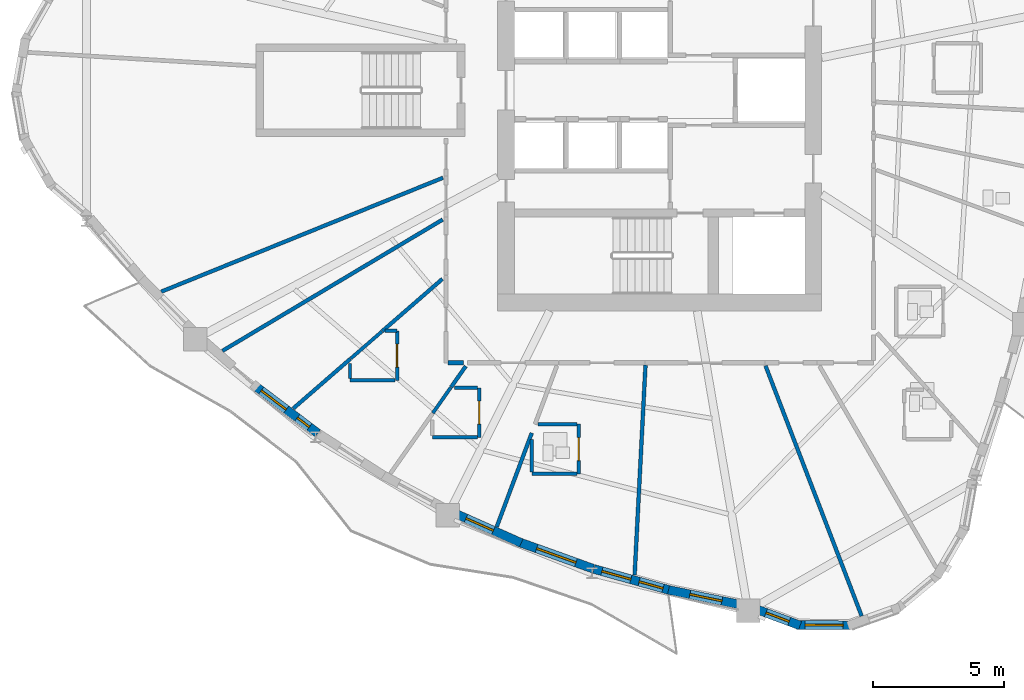
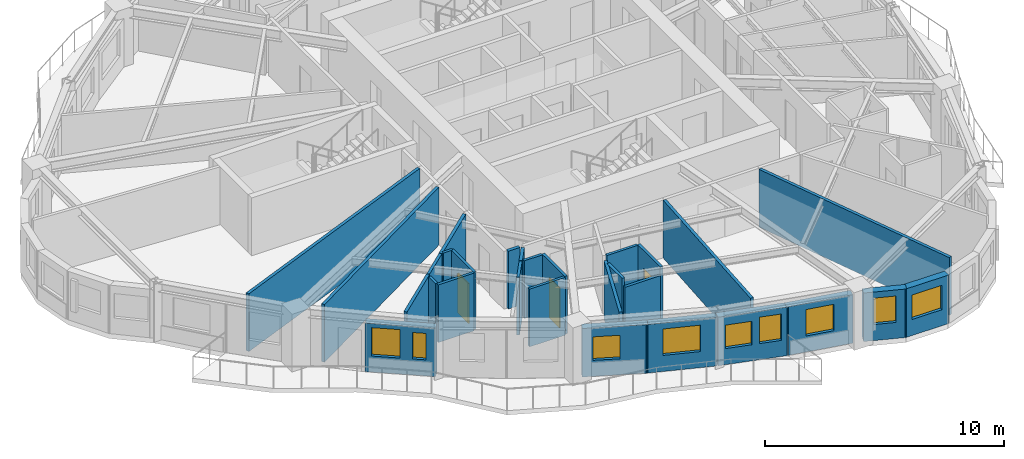
# One storey, part 3 of 13: 29 walls, 9 windows, 3 doors, 12 openings.
"""IFC4 building model written with IfcOpenShell, lengths in metres."""

from ifc_helpers import new_model, si_unit, direction, frame, frame_2d, origin, place, context, subcontext, project, spatial, rectangle, extrude, source, transform, mapped, material, layer, layer_set, type_object, element, fill, save


model = new_model("IFC4")

# Units and contexts
model_context = context("Model", 3, precision=1e-05, world=origin(), true_north=direction((0.0, 1.0)))
body_context = subcontext(model_context, "Body", "Model", "MODEL_VIEW")
ifc_project = project(units=[si_unit("LENGTHUNIT", "METRE"), si_unit("AREAUNIT", "SQUARE_METRE"), si_unit("VOLUMEUNIT", "CUBIC_METRE"), si_unit("PLANEANGLEUNIT", "RADIAN"), si_unit("MASSUNIT", "GRAM", prefix="KILO")], contexts=[model_context])

# Site, building, storey
site_placement = place(None, origin())
site = spatial("IfcSite", under=ifc_project, at=site_placement, CompositionType="ELEMENT")
building_placement = place(site_placement, origin())
building = spatial("IfcBuilding", under=site, at=building_placement, Name="Qafzar Sky-Pleat Residences", CompositionType="ELEMENT")
storey_placement = place(building_placement, frame((0.0, 0.0, 102.39990234375)))
storey = spatial("IfcBuildingStorey", under=building, at=storey_placement, Name="L30", CompositionType="ELEMENT", Elevation=102.39990234375)

# Walls
ifc_material_1 = material(Name="Acoustic gypsum plasterboard partition", Category="gypsum")
ifc_layer_1 = layer(ifc_material_1, 0.159912109375)
ifc_layer_set_1 = layer_set([ifc_layer_1], Name="Acoustic gypsum plasterboard partition")
wall_type_1 = type_object("IfcWallType", Name="PART-COR-160", PredefinedType="PARTITIONING", material=ifc_layer_set_1)
wall_1_placement = place(storey_placement, frame((22.258056640625, 15.570068359375, 0.0), z_axis=(0.0, 0.0, 1.0), x_axis=(1.0, 0.0, 0.0)))
element("IfcWall", 1, at=wall_1_placement, inside=storey, type_object=wall_type_1, Name="L30 Partition Wall PART-L30-PW-086", PredefinedType="PARTITIONING", context=body_context, shape_type="SweptSolid", body=[
    extrude(rectangle(XDim=0.5771484375, YDim=0.159912109375, at=frame_2d((0.28857421875, 0.0))), origin(), (0.0, 0.0, 1.0), 2.9501953125),
])
ifc_layer_2 = layer(ifc_material_1, 0.14501953125)
ifc_layer_set_2 = layer_set([ifc_layer_2], Name="Acoustic gypsum plasterboard partition")
wall_type_2 = type_object("IfcWallType", Name="PART-UNIT-145", PredefinedType="PARTITIONING", material=ifc_layer_set_2)
wall_2_placement = place(storey_placement, frame((11.2802734375, 18.293701171875, 0.0), z_axis=(0.0, 0.0, 1.0), x_axis=(0.927137862507, 0.374720407645, 0.0)))
element("IfcWall", 2, at=wall_2_placement, inside=storey, type_object=wall_type_2, Name="L30 Partition Wall PART-L30-PW-032", PredefinedType="PARTITIONING", context=body_context, shape_type="SweptSolid", body=[
    extrude(rectangle(XDim=11.621826171875, YDim=0.14501953125, at=frame_2d((5.81103515625, 0.0))), origin(), (0.0, 0.0, 1.0), 2.9501953125),
])
wall_3_placement = place(storey_placement, frame((34.399658203125, 15.45654296875, 0.0), z_axis=(0.0, 0.0, 1.0), x_axis=(0.358586620169, -0.933496457324, 0.0)))
element("IfcWall", 3, at=wall_3_placement, inside=storey, type_object=wall_type_2, Name="L30 Partition Wall PART-L30-PW-034", PredefinedType="PARTITIONING", context=body_context, shape_type="SweptSolid", body=[
    extrude(rectangle(XDim=10.255615234375, YDim=0.14501953125, at=frame_2d((5.1279296875, 0.0))), origin(), (0.0, 0.0, 1.0), 2.9501953125),
])
wall_4_placement = place(storey_placement, frame((13.621826171875, 16.0283203125, 0.0), z_axis=(0.0, 0.0, 1.0), x_axis=(0.85896108151, 0.512040877716, 0.0)))
element("IfcWall", 4, at=wall_4_placement, inside=storey, type_object=wall_type_2, Name="L30 Partition Wall PART-L30-PW-035", PredefinedType="PARTITIONING", context=body_context, shape_type="SweptSolid", body=[
    extrude(rectangle(XDim=9.807373046875, YDim=0.14501953125, at=frame_2d((4.90380859375, 0.0))), origin(), (0.0, 0.0, 1.0), 2.9501953125),
])
wall_5_placement = place(storey_placement, frame((29.390869140625, 7.4482421875, 0.0), z_axis=(0.0, 0.0, 1.0), x_axis=(0.051677535725, 0.998663823467, 0.0)))
element("IfcWall", 5, at=wall_5_placement, inside=storey, type_object=wall_type_2, Name="L30 Partition Wall PART-L30-PW-040", PredefinedType="PARTITIONING", context=body_context, shape_type="SweptSolid", body=[
    extrude(rectangle(XDim=8.040771484375, YDim=0.14501953125, at=frame_2d((4.0205078125, 0.0))), origin(), (0.0, 0.0, 1.0), 2.9501953125),
])
wall_6_placement = place(storey_placement, frame((24.114990234375, 9.294189453125, 0.0), z_axis=(0.0, 0.0, 1.0), x_axis=(0.349559649022, 0.936914111205, 0.0)))
element("IfcWall", 6, at=wall_6_placement, inside=storey, type_object=wall_type_2, Name="L30 Partition Wall PART-L30-PW-049", PredefinedType="PARTITIONING", context=body_context, shape_type="SweptSolid", body=[
    extrude(rectangle(XDim=3.833740234375, YDim=0.14501953125, at=frame_2d((1.9169921875, 0.0))), origin(), (0.0, 0.0, 1.0), 2.9501953125),
])
wall_7_placement = place(storey_placement, frame((19.736083984375, 16.781982421875, 0.0), z_axis=(0.0, 0.0, 1.0), x_axis=(0.754964216329, 0.655765988796, 0.0)))
element("IfcWall", 7, at=wall_7_placement, inside=storey, type_object=wall_type_2, Name="L30 Partition Wall PART-L30-PW-050", PredefinedType="PARTITIONING", context=body_context, shape_type="SweptSolid", body=[
    extrude(rectangle(XDim=3.046875, YDim=0.14501953125, at=frame_2d((1.5234375, 0.0))), origin(), (0.0, 0.0, 1.0), 2.9501953125),
])
wall_8_placement = place(storey_placement, frame((16.330322265625, 13.823974609375, 0.0), z_axis=(0.0, 0.0, 1.0), x_axis=(0.754843145593, 0.655905348013, 0.0)))
element("IfcWall", 8, at=wall_8_placement, inside=storey, type_object=wall_type_2, Name="L30 Partition Wall PART-L30-PW-053", PredefinedType="PARTITIONING", context=body_context, shape_type="SweptSolid", body=[
    extrude(rectangle(XDim=2.89697265625, YDim=0.14501953125, at=frame_2d((1.448486328125, 0.0))), origin(), (0.0, 0.0, 1.0), 2.9501953125),
])
wall_9_placement = place(storey_placement, frame((22.36962890625, 14.643310546875, 0.0), z_axis=(0.0, 0.0, 1.0), x_axis=(0.575022445487, 0.818137633401, 0.0)))
element("IfcWall", 9, at=wall_9_placement, inside=storey, type_object=wall_type_2, Name="L30 Partition Wall PART-L30-PW-081", PredefinedType="PARTITIONING", context=body_context, shape_type="SweptSolid", body=[
    extrude(rectangle(XDim=0.97607421875, YDim=0.14501953125, at=frame_2d((0.488037109375, 0.0))), origin(), (0.0, 0.0, 1.0), 2.9501953125),
])

# Wall, opening, door
ifc_material_2 = material(Name="Moisture-resistant gypsum partition", Category="gypsum")
ifc_layer_3 = layer(ifc_material_2, 0.1298828125)
ifc_layer_set_3 = layer_set([ifc_layer_3], Name="Moisture-resistant gypsum partition")
wall_type_3 = type_object("IfcWallType", Name="PART-WET-130", PredefinedType="PARTITIONING", material=ifc_layer_set_3)
wall_10_placement = place(storey_placement, frame((27.2548828125, 11.322998046875, 0.0), z_axis=(0.0, 0.0, 1.0), x_axis=(0.0, 1.0, 0.0)))
wall_10 = element("IfcWall", 10, at=wall_10_placement, inside=storey, type_object=wall_type_3, Name="L30 Partition Wall PART-L30-PW-016", PredefinedType="PARTITIONING", context=body_context, shape_type="SweptSolid", body=[
    extrude(rectangle(XDim=1.89990234375, YDim=0.1298828125, at=frame_2d((0.949951171875, 0.0))), origin(), (0.0, 0.0, 1.0), 2.9501953125),
])
opening_1_placement = place(wall_10_placement, frame((0.510009765625, 0.0, 0.0)))
opening_1 = element("IfcOpeningElement", 11, at=opening_1_placement, cuts=wall_10, Name="Opening ID-07", PredefinedType="OPENING", context=body_context, shape_type="SweptSolid", body=[
    extrude(rectangle(XDim=0.8798828125, YDim=2.050048828125, at=frame_2d((0.43994140625, 1.02490234375))), frame((0.0, 0.074951171875, 0.0), z_axis=(0.0, -1.0, 0.0), x_axis=(1.0, 0.0, 0.0)), (0.0, 0.0, 1.0), 0.14990234375),
])
ifc_material_3 = material(Name="Timber-faced fire door", Category="wood")
door_type = type_object("IfcDoorType", Name="DR-WET-880", OperationType="NOTDEFINED", PredefinedType="DOOR", material=ifc_material_3)
shared_shape_1 = source(origin(), body_context, "Body", "SweptSolid", [
    extrude(rectangle(XDim=0.8798828125, YDim=2.050048828125, at=frame_2d((0.43994140625, 1.02490234375))), frame((0.0, 0.02490234375, 0.0), z_axis=(0.0, -1.0, 0.0), x_axis=(1.0, 0.0, 0.0)), (0.0, 0.0, 1.0), 0.050048828125),
])
door_1_placement = place(opening_1_placement, origin())
door_1 = element("IfcDoor", 12, at=door_1_placement, inside=storey, type_object=door_type, Name="L30 En-suite Bathroom 1 Door", OperationType="SINGLE_SWING_RIGHT", OverallHeight=2.050048828125, OverallWidth=0.8798828125, PredefinedType="DOOR", context=body_context, shape_type="MappedRepresentation", body=[
    mapped(shared_shape_1, transform((0.0, 0.0, 0.0), x_axis=(1.0, 0.0, 0.0), y_axis=(0.0, 1.0, 0.0), z_axis=(0.0, 0.0, 1.0), scale=1.0)),
])
fill(opening_1, door_1)

wall_11_placement = place(storey_placement, frame((20.302001953125, 14.89697265625, 0.0), z_axis=(0.0, 0.0, 1.0), x_axis=(0.0, 1.0, 0.0)))
wall_11 = element("IfcWall", 13, at=wall_11_placement, inside=storey, type_object=wall_type_3, Name="L30 Partition Wall PART-L30-PW-017", PredefinedType="PARTITIONING", context=body_context, shape_type="SweptSolid", body=[
    extrude(rectangle(XDim=1.900146484375, YDim=0.1298828125, at=frame_2d((0.9501953125, 0.0))), origin(), (0.0, 0.0, 1.0), 2.9501953125),
])
opening_2_placement = place(wall_11_placement, frame((0.510009765625, 0.0, 0.0)))
opening_2 = element("IfcOpeningElement", 14, at=opening_2_placement, cuts=wall_11, Name="Opening ID-07", PredefinedType="OPENING", context=body_context, shape_type="SweptSolid", body=[
    extrude(rectangle(XDim=0.8798828125, YDim=2.050048828125, at=frame_2d((0.43994140625, 1.02490234375))), frame((0.0, 0.074951171875, 0.0), z_axis=(0.0, -1.0, 0.0), x_axis=(1.0, 0.0, 0.0)), (0.0, 0.0, 1.0), 0.14990234375),
])
door_2_placement = place(opening_2_placement, origin())
door_2 = element("IfcDoor", 15, at=door_2_placement, inside=storey, type_object=door_type, Name="L30 En-suite Bathroom 13 Door", OperationType="SINGLE_SWING_LEFT", OverallHeight=2.050048828125, OverallWidth=0.8798828125, PredefinedType="DOOR", context=body_context, shape_type="MappedRepresentation", body=[
    mapped(shared_shape_1, transform((0.0, 0.0, 0.0), x_axis=(1.0, 0.0, 0.0), y_axis=(0.0, 1.0, 0.0), z_axis=(0.0, 0.0, 1.0), scale=1.0)),
])
fill(opening_2, door_2)

wall_12_placement = place(storey_placement, frame((23.447998046875, 12.716064453125, 0.0), z_axis=(0.0, 0.0, 1.0), x_axis=(0.0, 1.0, 0.0)))
wall_12 = element("IfcWall", 16, at=wall_12_placement, inside=storey, type_object=wall_type_3, Name="L30 Partition Wall PART-L30-PW-018", PredefinedType="PARTITIONING", context=body_context, shape_type="SweptSolid", body=[
    extrude(rectangle(XDim=1.89990234375, YDim=0.1298828125, at=frame_2d((0.949951171875, 0.0))), origin(), (0.0, 0.0, 1.0), 2.9501953125),
])
opening_3_placement = place(wall_12_placement, frame((0.510009765625, 0.0, 0.0)))
opening_3 = element("IfcOpeningElement", 17, at=opening_3_placement, cuts=wall_12, Name="Opening ID-07", PredefinedType="OPENING", context=body_context, shape_type="SweptSolid", body=[
    extrude(rectangle(XDim=0.8798828125, YDim=2.050048828125, at=frame_2d((0.43994140625, 1.02490234375))), frame((0.0, 0.074951171875, 0.0), z_axis=(0.0, -1.0, 0.0), x_axis=(1.0, 0.0, 0.0)), (0.0, 0.0, 1.0), 0.14990234375),
])
door_3_placement = place(opening_3_placement, origin())
door_3 = element("IfcDoor", 18, at=door_3_placement, inside=storey, type_object=door_type, Name="L30 En-suite Bathroom 14 Door", OperationType="SINGLE_SWING_RIGHT", OverallHeight=2.050048828125, OverallWidth=0.8798828125, PredefinedType="DOOR", context=body_context, shape_type="MappedRepresentation", body=[
    mapped(shared_shape_1, transform((0.0, 0.0, 0.0), x_axis=(1.0, 0.0, 0.0), y_axis=(0.0, 1.0, 0.0), z_axis=(0.0, 0.0, 1.0), scale=1.0)),
])
fill(opening_3, door_3)

# Walls
wall_13_placement = place(storey_placement, frame((25.455078125, 11.322998046875, 0.0), z_axis=(0.0, 0.0, 1.0), x_axis=(1.0, 0.0, 0.0)))
element("IfcWall", 19, at=wall_13_placement, inside=storey, type_object=wall_type_3, Name="L30 Partition Wall PART-L30-PW-063", PredefinedType="PARTITIONING", context=body_context, shape_type="SweptSolid", body=[
    extrude(rectangle(XDim=1.726806640625, YDim=0.1298828125, at=frame_2d((0.86328125, 0.0))), origin(), (0.0, 0.0, 1.0), 2.55810546875),
])
for number, where, z_axis, x_axis, name in (
    (20, (18.501953125, 14.89697265625, 0.0), (0.0, 0.0, 1.0), (1.0, 0.0, 0.0), "L30 Partition Wall PART-L30-PW-066"),
    (21, (21.64794921875, 12.716064453125, 0.0), (0.0, 0.0, 1.0), (1.0, 0.0, 0.0), "L30 Partition Wall PART-L30-PW-067"),
):
    element("IfcWall", number, at=place(storey_placement, frame(where, z_axis=z_axis, x_axis=x_axis)), inside=storey, type_object=wall_type_3, Name=name, PredefinedType="PARTITIONING", context=body_context, shape_type="SweptSolid", body=[
        extrude(rectangle(XDim=1.72705078125, YDim=0.1298828125, at=frame_2d((0.863525390625, 0.0))), origin(), (0.0, 0.0, 1.0), 2.9501953125),
    ])
wall_14_placement = place(storey_placement, frame((25.690673828125, 13.222900390625, 0.0), z_axis=(0.0, 0.0, 1.0), x_axis=(1.0, 0.0, 0.0)))
element("IfcWall", 22, at=wall_14_placement, inside=storey, type_object=wall_type_3, Name="L30 Partition Wall PART-L30-PW-071", PredefinedType="PARTITIONING", context=body_context, shape_type="SweptSolid", body=[
    extrude(rectangle(XDim=1.4912109375, YDim=0.1298828125, at=frame_2d((0.74560546875, 0.0))), origin(), (0.0, 0.0, 1.0), 2.9501953125),
])
wall_15_placement = place(storey_placement, frame((18.5283203125, 15.73388671875, 0.0), z_axis=(0.0, 0.0, 1.0), x_axis=(0.755063236967, 0.655651971843, 0.0)))
element("IfcWall", 23, at=wall_15_placement, inside=storey, type_object=wall_type_3, Name="L30 Partition Wall PART-L30-PW-073", PredefinedType="PARTITIONING", context=body_context, shape_type="SweptSolid", body=[
    extrude(rectangle(XDim=1.583984375, YDim=0.1298828125, at=frame_2d((0.7919921875, 0.0))), origin(), (0.0, 0.0, 1.0), 2.9501953125),
])
wall_16_placement = place(storey_placement, frame((25.455078125, 11.39599609375, 0.0), z_axis=(0.0, 0.0, 1.0), x_axis=(0.0, 1.0, 0.0)))
element("IfcWall", 24, at=wall_16_placement, inside=storey, type_object=wall_type_3, Name="L30 Partition Wall PART-L30-PW-075", PredefinedType="PARTITIONING", context=body_context, shape_type="SweptSolid", body=[
    extrude(rectangle(XDim=1.25, YDim=0.1298828125, at=frame_2d((0.625, 0.0))), origin(), (0.0, 0.0, 1.0), 2.9501953125),
])
wall_17_placement = place(storey_placement, frame((21.67138671875, 13.6494140625, 0.0), z_axis=(0.0, 0.0, 1.0), x_axis=(0.574868196693, 0.81824602439, 0.0)))
element("IfcWall", 25, at=wall_17_placement, inside=storey, type_object=wall_type_3, Name="L30 Partition Wall PART-L30-PW-079", PredefinedType="PARTITIONING", context=body_context, shape_type="SweptSolid", body=[
    extrude(rectangle(XDim=1.19970703125, YDim=0.1298828125, at=frame_2d((0.599853515625, 0.0))), origin(), (0.0, 0.0, 1.0), 2.9501953125),
])
wall_18_placement = place(storey_placement, frame((22.493408203125, 14.615966796875, 0.0), z_axis=(0.0, 0.0, 1.0), x_axis=(1.0, 0.0, 0.0)))
element("IfcWall", 26, at=wall_18_placement, inside=storey, type_object=wall_type_3, Name="L30 Partition Wall PART-L30-PW-082", PredefinedType="PARTITIONING", context=body_context, shape_type="SweptSolid", body=[
    extrude(rectangle(XDim=0.881591796875, YDim=0.1298828125, at=frame_2d((0.44091796875, 0.0))), origin(), (0.0, 0.0, 1.0), 2.9501953125),
])
wall_19_placement = place(storey_placement, frame((18.501953125, 14.969970703125, 0.0), z_axis=(0.0, 0.0, 1.0), x_axis=(0.0, 1.0, 0.0)))
element("IfcWall", 27, at=wall_19_placement, inside=storey, type_object=wall_type_3, Name="L30 Partition Wall PART-L30-PW-087", PredefinedType="PARTITIONING", context=body_context, shape_type="SweptSolid", body=[
    extrude(rectangle(XDim=0.58056640625, YDim=0.1298828125, at=frame_2d((0.290283203125, 0.0))), origin(), (0.0, 0.0, 1.0), 2.9501953125),
])
wall_20_placement = place(storey_placement, frame((19.843017578125, 16.797119140625, 0.0), z_axis=(0.0, 0.0, 1.0), x_axis=(1.0, 0.0, 0.0)))
element("IfcWall", 28, at=wall_20_placement, inside=storey, type_object=wall_type_3, Name="L30 Partition Wall PART-L30-PW-088", PredefinedType="PARTITIONING", context=body_context, shape_type="SweptSolid", body=[
    extrude(rectangle(XDim=0.458984375, YDim=0.1298828125, at=frame_2d((0.2294921875, 0.0))), origin(), (0.0, 0.0, 1.0), 2.9501953125),
])

# Wall, openings, windows
ifc_material_4 = material(Name="Precast concrete C40/50 with honed Riyadh limestone", Category="concrete")
ifc_layer_4 = layer(ifc_material_4, 0.340087890625)
ifc_layer_set_4 = layer_set([ifc_layer_4], Name="Precast concrete C40/50 with honed Riyadh limestone")
wall_type_4 = type_object("IfcWallType", Name="WALL-EXT-340", PredefinedType="SOLIDWALL", material=ifc_layer_set_4)
wall_21_placement = place(storey_placement, frame((14.894287109375, 14.665283203125, 0.0), z_axis=(0.0, 0.0, 1.0), x_axis=(0.798431756537, -0.602085318001, 0.0)))
wall_21 = element("IfcWall", 29, at=wall_21_placement, inside=storey, type_object=wall_type_4, Name="L30 Limestone Facade Wall 10", PredefinedType="SOLIDWALL", context=body_context, shape_type="SweptSolid", body=[
    extrude(rectangle(XDim=2.9755859375, YDim=0.340087890625, at=frame_2d((1.48779296875, 0.0))), origin(), (0.0, 0.0, 1.0), 2.47998046875),
])
opening_4_placement = place(wall_21_placement, frame((0.2626953125, 0.0, 0.820068359375)))
opening_4 = element("IfcOpeningElement", 30, at=opening_4_placement, cuts=wall_21, Name="Opening WN-05", PredefinedType="OPENING", context=body_context, shape_type="SweptSolid", body=[
    extrude(rectangle(XDim=1.199951171875, YDim=1.449951171875, at=frame_2d((0.60009765625, 0.72509765625))), frame((0.0, 0.18017578125, 0.0), z_axis=(0.0, -1.0, 0.0), x_axis=(1.0, 0.0, 0.0)), (0.0, 0.0, 1.0), 0.360107421875),
])
opening_5_placement = place(wall_21_placement, frame((1.99072265625, 0.0, 0.820068359375)))
opening_5 = element("IfcOpeningElement", 31, at=opening_5_placement, cuts=wall_21, Name="Opening WN-17", PredefinedType="OPENING", context=body_context, shape_type="SweptSolid", body=[
    extrude(rectangle(XDim=0.580078125, YDim=1.35009765625, at=frame_2d((0.2900390625, 0.675048828125))), frame((0.0, 0.18017578125, 0.0), z_axis=(0.0, -1.0, 0.0), x_axis=(1.0, 0.0, 0.0)), (0.0, 0.0, 1.0), 0.360107421875),
])
ifc_material_5 = material(Name="Solar-control low-E glass in bronze aluminium frame", Category="glass")
window_type_1 = type_object("IfcWindowType", Name="WIN-17", PartitioningType="SINGLE_PANEL", PredefinedType="WINDOW", material=ifc_material_5)
shared_shape_2 = source(origin(), body_context, "Body", "SweptSolid", [
    extrude(rectangle(XDim=0.580078125, YDim=1.35009765625, at=frame_2d((0.2900390625, 0.675048828125))), frame((0.0, 0.030029296875, 0.0), z_axis=(0.0, -1.0, 0.0), x_axis=(1.0, 0.0, 0.0)), (0.0, 0.0, 1.0), 0.06005859375),
])
window_1_placement = place(opening_5_placement, origin())
window_1 = element("IfcWindow", 32, at=window_1_placement, inside=storey, type_object=window_type_1, Name="L30 Punched Facade Window 10-2", OverallHeight=1.35009765625, OverallWidth=0.580078125, PartitioningType="SINGLE_PANEL", PredefinedType="WINDOW", context=body_context, shape_type="MappedRepresentation", body=[
    mapped(shared_shape_2, transform((0.0, 0.0, 0.0), x_axis=(1.0, 0.0, 0.0), y_axis=(0.0, 1.0, 0.0), z_axis=(0.0, 0.0, 1.0), scale=1.0)),
])
fill(opening_5, window_1)
window_type_2 = type_object("IfcWindowType", Name="WIN-05", PartitioningType="SINGLE_PANEL", PredefinedType="WINDOW", material=ifc_material_5)
shared_shape_3 = source(origin(), body_context, "Body", "SweptSolid", [
    extrude(rectangle(XDim=1.199951171875, YDim=1.449951171875, at=frame_2d((0.60009765625, 0.72509765625))), frame((0.0, 0.030029296875, 0.0), z_axis=(0.0, -1.0, 0.0), x_axis=(1.0, 0.0, 0.0)), (0.0, 0.0, 1.0), 0.06005859375),
])
window_2_placement = place(opening_4_placement, origin())
window_2 = element("IfcWindow", 33, at=window_2_placement, inside=storey, type_object=window_type_2, Name="L30 Punched Facade Window 10", OverallHeight=1.449951171875, OverallWidth=1.199951171875, PartitioningType="SINGLE_PANEL", PredefinedType="WINDOW", context=body_context, shape_type="MappedRepresentation", body=[
    mapped(shared_shape_3, transform((0.0, 0.0, 0.0), x_axis=(1.0, 0.0, 0.0), y_axis=(0.0, 1.0, 0.0), z_axis=(0.0, 0.0, 1.0), scale=1.0)),
])
fill(opening_4, window_2)

# Wall, opening, window
wall_22_placement = place(storey_placement, frame((22.525146484375, 9.802978515625, 0.0), z_axis=(0.0, 0.0, 1.0), x_axis=(0.913407022137, -0.407047432016, 0.0)))
wall_22 = element("IfcWall", 34, at=wall_22_placement, inside=storey, type_object=wall_type_4, Name="L30 Limestone Facade Wall 13", PredefinedType="SOLIDWALL", context=body_context, shape_type="SweptSolid", body=[
    extrude(rectangle(XDim=2.765625, YDim=0.340087890625, at=frame_2d((1.3828125, 0.0))), origin(), (0.0, 0.0, 1.0), 2.47998046875),
])
opening_6_placement = place(wall_22_placement, frame((0.449951171875, 0.0, 0.820068359375)))
opening_6 = element("IfcOpeningElement", 35, at=opening_6_placement, cuts=wall_22, Name="Opening WN-16", PredefinedType="OPENING", context=body_context, shape_type="SweptSolid", body=[
    extrude(rectangle(XDim=1.14990234375, YDim=1.199951171875, at=frame_2d((0.574951171875, 0.60009765625))), frame((0.0, 0.18017578125, 0.0), z_axis=(0.0, -1.0, 0.0), x_axis=(1.0, 0.0, 0.0)), (0.0, 0.0, 1.0), 0.360107421875),
])
window_type_3 = type_object("IfcWindowType", Name="WIN-16", PartitioningType="SINGLE_PANEL", PredefinedType="WINDOW", material=ifc_material_5)
shared_shape_4 = source(origin(), body_context, "Body", "SweptSolid", [
    extrude(rectangle(XDim=1.14990234375, YDim=1.199951171875, at=frame_2d((0.574951171875, 0.60009765625))), frame((0.0, 0.030029296875, 0.0), z_axis=(0.0, -1.0, 0.0), x_axis=(1.0, 0.0, 0.0)), (0.0, 0.0, 1.0), 0.06005859375),
])
window_3_placement = place(opening_6_placement, origin())
window_3 = element("IfcWindow", 36, at=window_3_placement, inside=storey, type_object=window_type_3, Name="L30 Punched Facade Window 13", OverallHeight=1.199951171875, OverallWidth=1.14990234375, PartitioningType="SINGLE_PANEL", PredefinedType="WINDOW", context=body_context, shape_type="MappedRepresentation", body=[
    mapped(shared_shape_4, transform((0.0, 0.0, 0.0), x_axis=(1.0, 0.0, 0.0), y_axis=(0.0, 1.0, 0.0), z_axis=(0.0, 0.0, 1.0), scale=1.0)),
])
fill(opening_6, window_3)

wall_23_placement = place(storey_placement, frame((24.968994140625, 8.710205078125, 0.0), z_axis=(0.0, 0.0, 1.0), x_axis=(0.94111062187, -0.338098798287, 0.0)))
wall_23 = element("IfcWall", 37, at=wall_23_placement, inside=storey, type_object=wall_type_4, Name="L30 Limestone Facade Wall 14", PredefinedType="SOLIDWALL", context=body_context, shape_type="SweptSolid", body=[
    extrude(rectangle(XDim=3.009033203125, YDim=0.340087890625, at=frame_2d((1.50439453125, 0.0))), origin(), (0.0, 0.0, 1.0), 2.47998046875),
])
opening_7_placement = place(wall_23_placement, frame((0.71435546875, 0.0, 0.820068359375)))
opening_7 = element("IfcOpeningElement", 38, at=opening_7_placement, cuts=wall_23, Name="Opening WN-09", PredefinedType="OPENING", context=body_context, shape_type="SweptSolid", body=[
    extrude(rectangle(XDim=1.60009765625, YDim=1.35009765625, at=frame_2d((0.800048828125, 0.675048828125))), frame((0.0, 0.18017578125, 0.0), z_axis=(0.0, -1.0, 0.0), x_axis=(1.0, 0.0, 0.0)), (0.0, 0.0, 1.0), 0.360107421875),
])
window_type_4 = type_object("IfcWindowType", Name="WIN-09", PartitioningType="DOUBLE_PANEL_VERTICAL", PredefinedType="WINDOW", material=ifc_material_5)
shared_shape_5 = source(origin(), body_context, "Body", "SweptSolid", [
    extrude(rectangle(XDim=1.60009765625, YDim=1.35009765625, at=frame_2d((0.800048828125, 0.675048828125))), frame((0.0, 0.030029296875, 0.0), z_axis=(0.0, -1.0, 0.0), x_axis=(1.0, 0.0, 0.0)), (0.0, 0.0, 1.0), 0.06005859375),
])
window_4_placement = place(opening_7_placement, origin())
window_4 = element("IfcWindow", 39, at=window_4_placement, inside=storey, type_object=window_type_4, Name="L30 Punched Facade Window 14", OverallHeight=1.35009765625, OverallWidth=1.60009765625, PartitioningType="SINGLE_PANEL", PredefinedType="WINDOW", context=body_context, shape_type="MappedRepresentation", body=[
    mapped(shared_shape_5, transform((0.0, 0.0, 0.0), x_axis=(1.0, 0.0, 0.0), y_axis=(0.0, 1.0, 0.0), z_axis=(0.0, 0.0, 1.0), scale=1.0)),
])
fill(opening_7, window_4)

# Wall, openings, windows
wall_24_placement = place(storey_placement, frame((27.8271484375, 7.684326171875, 0.0), z_axis=(0.0, 0.0, 1.0), x_axis=(0.963051015651, -0.269319032475, 0.0)))
wall_24 = element("IfcWall", 40, at=wall_24_placement, inside=storey, type_object=wall_type_4, Name="L30 Limestone Facade Wall 15", PredefinedType="SOLIDWALL", context=body_context, shape_type="SweptSolid", body=[
    extrude(rectangle(XDim=3.05859375, YDim=0.340087890625, at=frame_2d((1.529296875, 0.0))), origin(), (0.0, 0.0, 1.0), 2.47998046875),
])
opening_8_placement = place(wall_24_placement, frame((0.323486328125, 0.0, 0.820068359375)))
opening_8 = element("IfcOpeningElement", 41, at=opening_8_placement, cuts=wall_24, Name="Opening WN-16", PredefinedType="OPENING", context=body_context, shape_type="SweptSolid", body=[
    extrude(rectangle(XDim=1.14990234375, YDim=1.199951171875, at=frame_2d((0.574951171875, 0.60009765625))), frame((0.0, 0.18017578125, 0.0), z_axis=(0.0, -1.0, 0.0), x_axis=(1.0, 0.0, 0.0)), (0.0, 0.0, 1.0), 0.360107421875),
])
opening_9_placement = place(wall_24_placement, frame((1.802978515625, 0.0, 0.820068359375)))
opening_9 = element("IfcOpeningElement", 42, at=opening_9_placement, cuts=wall_24, Name="Opening WN-12", PredefinedType="OPENING", context=body_context, shape_type="SweptSolid", body=[
    extrude(rectangle(XDim=0.949951171875, YDim=1.35009765625, at=frame_2d((0.47509765625, 0.675048828125))), frame((0.0, 0.18017578125, 0.0), z_axis=(0.0, -1.0, 0.0), x_axis=(1.0, 0.0, 0.0)), (0.0, 0.0, 1.0), 0.360107421875),
])
window_type_5 = type_object("IfcWindowType", Name="WIN-12", PartitioningType="SINGLE_PANEL", PredefinedType="WINDOW", material=ifc_material_5)
shared_shape_6 = source(origin(), body_context, "Body", "SweptSolid", [
    extrude(rectangle(XDim=0.949951171875, YDim=1.35009765625, at=frame_2d((0.47509765625, 0.675048828125))), frame((0.0, 0.030029296875, 0.0), z_axis=(0.0, -1.0, 0.0), x_axis=(1.0, 0.0, 0.0)), (0.0, 0.0, 1.0), 0.06005859375),
])
window_5_placement = place(opening_9_placement, origin())
window_5 = element("IfcWindow", 43, at=window_5_placement, inside=storey, type_object=window_type_5, Name="L30 Punched Facade Window 15-2", OverallHeight=1.35009765625, OverallWidth=0.949951171875, PartitioningType="SINGLE_PANEL", PredefinedType="WINDOW", context=body_context, shape_type="MappedRepresentation", body=[
    mapped(shared_shape_6, transform((0.0, 0.0, 0.0), x_axis=(1.0, 0.0, 0.0), y_axis=(0.0, 1.0, 0.0), z_axis=(0.0, 0.0, 1.0), scale=1.0)),
])
fill(opening_9, window_5)
window_6_placement = place(opening_8_placement, origin())
window_6 = element("IfcWindow", 44, at=window_6_placement, inside=storey, type_object=window_type_3, Name="L30 Punched Facade Window 15", OverallHeight=1.199951171875, OverallWidth=1.14990234375, PartitioningType="SINGLE_PANEL", PredefinedType="WINDOW", context=body_context, shape_type="MappedRepresentation", body=[
    mapped(shared_shape_4, transform((0.0, 0.0, 0.0), x_axis=(1.0, 0.0, 0.0), y_axis=(0.0, 1.0, 0.0), z_axis=(0.0, 0.0, 1.0), scale=1.0)),
])
fill(opening_8, window_6)

# Wall, opening, window
wall_25_placement = place(storey_placement, frame((30.687255859375, 6.881103515625, 0.0), z_axis=(0.0, 0.0, 1.0), x_axis=(0.979429773913, -0.201785326453, 0.0)))
wall_25 = element("IfcWall", 45, at=wall_25_placement, inside=storey, type_object=wall_type_4, Name="L30 Limestone Facade Wall 16", PredefinedType="SOLIDWALL", context=body_context, shape_type="SweptSolid", body=[
    extrude(rectangle(XDim=2.913330078125, YDim=0.340087890625, at=frame_2d((1.45654296875, 0.0))), origin(), (0.0, 0.0, 1.0), 2.47998046875),
])
opening_10_placement = place(wall_25_placement, frame((0.836669921875, 0.0, 0.820068359375)))
opening_10 = element("IfcOpeningElement", 46, at=opening_10_placement, cuts=wall_25, Name="Opening WN-11", PredefinedType="OPENING", context=body_context, shape_type="SweptSolid", body=[
    extrude(rectangle(XDim=1.25, YDim=1.35009765625, at=frame_2d((0.625, 0.675048828125))), frame((0.0, 0.18017578125, 0.0), z_axis=(0.0, -1.0, 0.0), x_axis=(1.0, 0.0, 0.0)), (0.0, 0.0, 1.0), 0.360107421875),
])
window_type_6 = type_object("IfcWindowType", Name="WIN-11", PartitioningType="SINGLE_PANEL", PredefinedType="WINDOW", material=ifc_material_5)
shared_shape_7 = source(origin(), body_context, "Body", "SweptSolid", [
    extrude(rectangle(XDim=1.25, YDim=1.35009765625, at=frame_2d((0.625, 0.675048828125))), frame((0.0, 0.030029296875, 0.0), z_axis=(0.0, -1.0, 0.0), x_axis=(1.0, 0.0, 0.0)), (0.0, 0.0, 1.0), 0.06005859375),
])
window_7_placement = place(opening_10_placement, origin())
window_7 = element("IfcWindow", 47, at=window_7_placement, inside=storey, type_object=window_type_6, Name="L30 Punched Facade Window 16", OverallHeight=1.35009765625, OverallWidth=1.25, PartitioningType="SINGLE_PANEL", PredefinedType="WINDOW", context=body_context, shape_type="MappedRepresentation", body=[
    mapped(shared_shape_7, transform((0.0, 0.0, 0.0), x_axis=(1.0, 0.0, 0.0), y_axis=(0.0, 1.0, 0.0), z_axis=(0.0, 0.0, 1.0), scale=1.0)),
])
fill(opening_10, window_7)

wall_26_placement = place(storey_placement, frame((34.006591796875, 6.1591796875, 0.0), z_axis=(0.0, 0.0, 1.0), x_axis=(0.936815884802, -0.349822809409, 0.0)))
wall_26 = element("IfcWall", 48, at=wall_26_placement, inside=storey, type_object=wall_type_4, Name="L30 Limestone Facade Wall 17", PredefinedType="SOLIDWALL", context=body_context, shape_type="SweptSolid", body=[
    extrude(rectangle(XDim=1.831298828125, YDim=0.340087890625, at=frame_2d((0.91552734375, 0.0))), origin(), (0.0, 0.0, 1.0), 2.47998046875),
])
opening_11_placement = place(wall_26_placement, frame((0.435546875, 0.0, 0.820068359375)))
opening_11 = element("IfcOpeningElement", 49, at=opening_11_placement, cuts=wall_26, Name="Opening WN-12", PredefinedType="OPENING", context=body_context, shape_type="SweptSolid", body=[
    extrude(rectangle(XDim=0.949951171875, YDim=1.35009765625, at=frame_2d((0.47509765625, 0.675048828125))), frame((0.0, 0.18017578125, 0.0), z_axis=(0.0, -1.0, 0.0), x_axis=(1.0, 0.0, 0.0)), (0.0, 0.0, 1.0), 0.360107421875),
])
window_8_placement = place(opening_11_placement, origin())
window_8 = element("IfcWindow", 50, at=window_8_placement, inside=storey, type_object=window_type_5, Name="L30 Punched Facade Window 17", OverallHeight=1.35009765625, OverallWidth=0.949951171875, PartitioningType="SINGLE_PANEL", PredefinedType="WINDOW", context=body_context, shape_type="MappedRepresentation", body=[
    mapped(shared_shape_6, transform((0.0, 0.0, 0.0), x_axis=(1.0, 0.0, 0.0), y_axis=(0.0, 1.0, 0.0), z_axis=(0.0, 0.0, 1.0), scale=1.0)),
])
fill(opening_11, window_8)

wall_27_placement = place(storey_placement, frame((35.590087890625, 5.54296875, 0.0), z_axis=(0.0, 0.0, 1.0), x_axis=(0.999976456891, -0.00686189939, 0.0)))
wall_27 = element("IfcWall", 51, at=wall_27_placement, inside=storey, type_object=wall_type_4, Name="L30 Limestone Facade Wall 18", PredefinedType="SOLIDWALL", context=body_context, shape_type="SweptSolid", body=[
    extrude(rectangle(XDim=2.09912109375, YDim=0.340087890625, at=frame_2d((1.049560546875, 0.0))), origin(), (0.0, 0.0, 1.0), 2.47998046875),
])
opening_12_placement = place(wall_27_placement, frame((0.324462890625, 0.0, 0.820068359375)))
opening_12 = element("IfcOpeningElement", 52, at=opening_12_placement, cuts=wall_27, Name="Opening WN-15", PredefinedType="OPENING", context=body_context, shape_type="SweptSolid", body=[
    extrude(rectangle(XDim=1.449951171875, YDim=1.25, at=frame_2d((0.72509765625, 0.625))), frame((0.0, 0.18017578125, 0.0), z_axis=(0.0, -1.0, 0.0), x_axis=(1.0, 0.0, 0.0)), (0.0, 0.0, 1.0), 0.360107421875),
])
window_type_7 = type_object("IfcWindowType", Name="WIN-15", PartitioningType="SINGLE_PANEL", PredefinedType="WINDOW", material=ifc_material_5)
shared_shape_8 = source(origin(), body_context, "Body", "SweptSolid", [
    extrude(rectangle(XDim=1.449951171875, YDim=1.25, at=frame_2d((0.72509765625, 0.625))), frame((0.0, 0.030029296875, 0.0), z_axis=(0.0, -1.0, 0.0), x_axis=(1.0, 0.0, 0.0)), (0.0, 0.0, 1.0), 0.06005859375),
])
window_9_placement = place(opening_12_placement, origin())
window_9 = element("IfcWindow", 53, at=window_9_placement, inside=storey, type_object=window_type_7, Name="L30 Punched Facade Window 18", OverallHeight=1.25, OverallWidth=1.449951171875, PartitioningType="SINGLE_PANEL", PredefinedType="WINDOW", context=body_context, shape_type="MappedRepresentation", body=[
    mapped(shared_shape_8, transform((0.0, 0.0, 0.0), x_axis=(1.0, 0.0, 0.0), y_axis=(0.0, 1.0, 0.0), z_axis=(0.0, 0.0, 1.0), scale=1.0)),
])
fill(opening_12, window_9)

save(model, "model.ifc")
